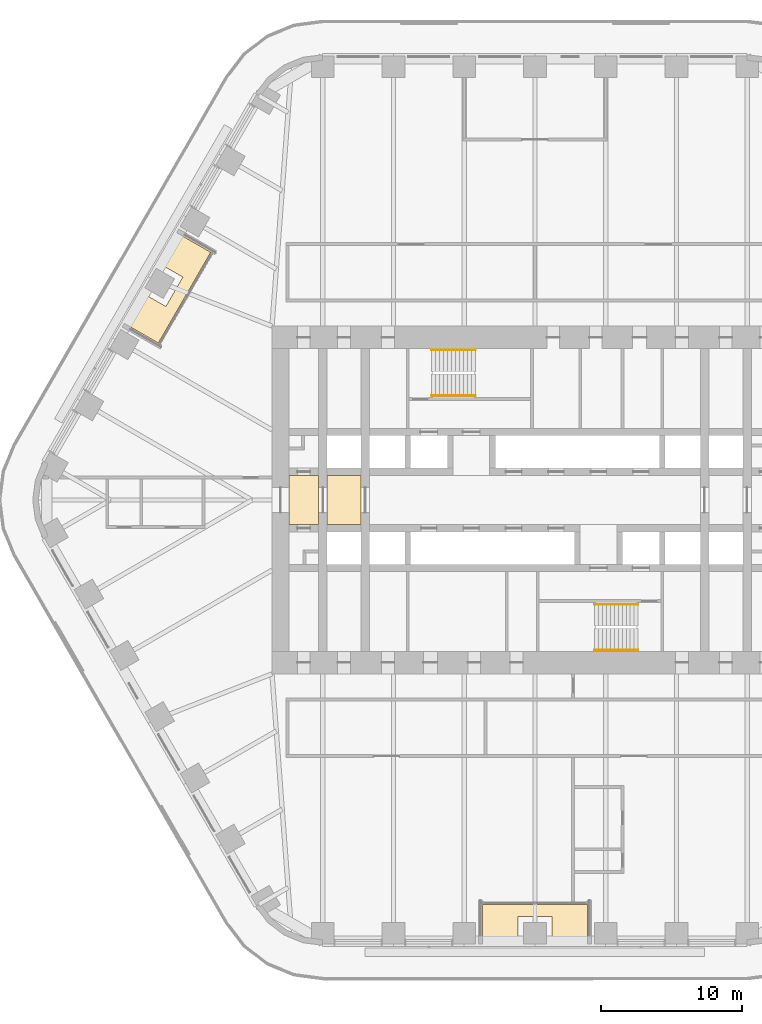
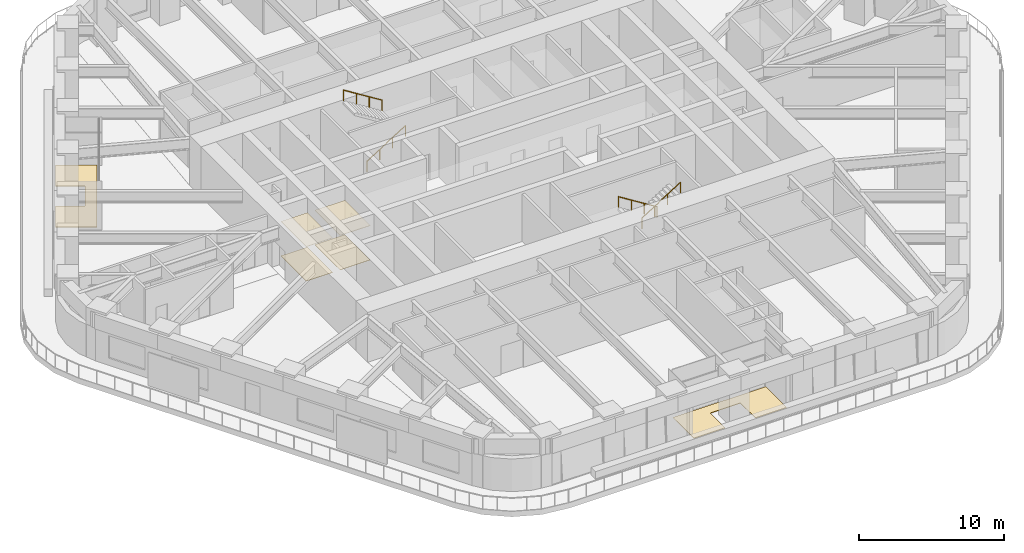
# One storey, part 22 of 24: 6 coverings, 4 railings.
"""IFC4 building model written with IfcOpenShell, lengths in metres."""

from ifc_helpers import new_model, si_unit, direction, frame, origin, origin_2d, place, context, subcontext, project, spatial, polyline, circle, outline, extrude, material, layer, layer_set, type_object, element, save


model = new_model("IFC4")

# Units and contexts
model_context = context("Model", 3, precision=1e-05, world=origin(), true_north=direction((0.0, 1.0)))
body_context = subcontext(model_context, "Body", "Model", "MODEL_VIEW")
ifc_project = project(units=[si_unit("LENGTHUNIT", "METRE"), si_unit("AREAUNIT", "SQUARE_METRE"), si_unit("VOLUMEUNIT", "CUBIC_METRE"), si_unit("PLANEANGLEUNIT", "RADIAN"), si_unit("MASSUNIT", "GRAM", prefix="KILO")], contexts=[model_context])

# Site, building, storey
site_placement = place(None, origin())
site = spatial("IfcSite", under=ifc_project, at=site_placement, CompositionType="ELEMENT")
building_placement = place(site_placement, origin())
building = spatial("IfcBuilding", under=site, at=building_placement, Name="Tarfa Lantern Tower", CompositionType="ELEMENT")
storey_placement = place(building_placement, frame((0.0, 0.0, 148.89990234375)))
storey = spatial("IfcBuildingStorey", under=building, at=storey_placement, Name="L33", CompositionType="ELEMENT", Elevation=148.89990234375)

# Coverings
ifc_material_1 = material(Name="Powder-coated aluminium panel", Category="aluminium")
ifc_layer_1 = layer(ifc_material_1, 0.030029296875)
ifc_layer_set_1 = layer_set([ifc_layer_1], Name="CL3 METAL PANEL CEILING 30")
covering_type_1 = type_object("IfcCoveringType", Name="CL3 METAL PANEL CEILING 30", PredefinedType="CEILING", material=ifc_layer_set_1)
covering_1_placement = place(storey_placement, frame((0.0, 0.0, 2.900146484375)))
element("IfcCovering", 1, at=covering_1_placement, inside=storey, type_object=covering_type_1, Name="Ceiling L33-01", PredefinedType="CEILING", context=body_context, shape_type="SweptSolid", body=[
    extrude(outline(polyline([(-17.39990234375, -1.75), (-15.300048828125, -1.75), (-15.300048828125, 1.75), (-17.39990234375, 1.75), (-17.39990234375, -1.75)])), origin(), (0.0, 0.0, 1.0), 0.030029296875),
])
covering_2_placement = place(storey_placement, frame((0.0, 0.0, 2.900146484375)))
element("IfcCovering", 2, at=covering_2_placement, inside=storey, type_object=covering_type_1, Name="Ceiling L33-02", PredefinedType="CEILING", context=body_context, shape_type="SweptSolid", body=[
    extrude(outline(polyline([(-14.699951171875, -1.75), (-12.300048828125, -1.75), (-12.300048828125, 1.75), (-14.699951171875, 1.75), (-14.699951171875, -1.75)])), origin(), (0.0, 0.0, 1.0), 0.030029296875),
])
ifc_material_2 = material(Name="Honed limestone flooring", Category="masonry")
ifc_layer_2 = layer(ifc_material_2, 0.030029296875)
ifc_layer_set_2 = layer_set([ifc_layer_2], Name="FL2 STONE FLOORING 30")
covering_type_2 = type_object("IfcCoveringType", Name="FL2 STONE FLOORING 30", PredefinedType="FLOORING", material=ifc_layer_set_2)
covering_3_placement = place(storey_placement, origin())
element("IfcCovering", 3, at=covering_3_placement, inside=storey, type_object=covering_type_2, Name="Floor finish L33-01", PredefinedType="FLOORING", context=body_context, shape_type="SweptSolid", body=[
    extrude(outline(polyline([(-17.39990234375, -1.75), (-15.300048828125, -1.75), (-15.300048828125, 1.75), (-17.39990234375, 1.75), (-17.39990234375, -1.75)])), origin(), (0.0, 0.0, 1.0), 0.030029296875),
])
covering_4_placement = place(storey_placement, origin())
element("IfcCovering", 4, at=covering_4_placement, inside=storey, type_object=covering_type_2, Name="Floor finish L33-02", PredefinedType="FLOORING", context=body_context, shape_type="SweptSolid", body=[
    extrude(outline(polyline([(-14.699951171875, -1.75), (-12.300048828125, -1.75), (-12.300048828125, 1.75), (-14.699951171875, 1.75), (-14.699951171875, -1.75)])), origin(), (0.0, 0.0, 1.0), 0.030029296875),
])

# Railings
ifc_material_3 = material(Name="Stainless steel", Category="steel")
railing_type = type_object("IfcRailingType", Name="HR1 HANDRAIL 900", PredefinedType="HANDRAIL", material=ifc_material_3)
railing_1_placement = place(storey_placement, frame((-7.300048828125, 7.3798828125, 0.175048828125)))
element("IfcRailing", 5, at=railing_1_placement, inside=storey, type_object=railing_type, Name="Handrail 1", PredefinedType="HANDRAIL", context=body_context, shape_type="SweptSolid", body=[
    extrude(circle(Radius=0.02392578125, at=origin_2d()), frame((0.0, 0.0, 0.8759765625), z_axis=(0.847998304005, 0.0, 0.529998940003), x_axis=(0.0, 1.0, 0.0)), (0.0, 0.0, 1.0), 3.632080078125),
    extrude(circle(Radius=0.02099609375, at=origin_2d()), frame((0.0, 0.0, 0.0), z_axis=(0.0, 0.0, 1.0), x_axis=(0.0, 1.0, 0.0)), (0.0, 0.0, 1.0), 0.851806640625),
    extrude(circle(Radius=0.02099609375, at=origin_2d()), frame((1.026611328125, 0.0, 0.6416015625), z_axis=(0.0, 0.0, 1.0), x_axis=(0.0, 1.0, 0.0)), (0.0, 0.0, 1.0), 0.851806640625),
    extrude(circle(Radius=0.02099609375, at=origin_2d()), frame((2.053466796875, 0.0, 1.283447265625), z_axis=(0.0, 0.0, 1.0), x_axis=(0.0, 1.0, 0.0)), (0.0, 0.0, 1.0), 0.851806640625),
    extrude(circle(Radius=0.02099609375, at=origin_2d()), frame((3.080078125, 0.0, 1.925048828125), z_axis=(0.0, 0.0, 1.0), x_axis=(0.0, 1.0, 0.0)), (0.0, 0.0, 1.0), 0.851806640625),
])
for number, where, name in (
    (6, (-4.219970703125, 10.6201171875, 2.275146484375), "Handrail 2"),
    (7, (7.300048828125, -7.3798828125, 0.175048828125), "Handrail 1"),
):
    element("IfcRailing", number, at=place(storey_placement, frame(where)), inside=storey, type_object=railing_type, Name=name, PredefinedType="HANDRAIL", context=body_context, shape_type="SweptSolid", body=[
        extrude(circle(Radius=0.02392578125, at=origin_2d()), frame((0.0, 0.0, 0.8759765625), z_axis=(-0.847998304005, 0.0, 0.529998940003), x_axis=(0.0, -1.0, 0.0)), (0.0, 0.0, 1.0), 3.632080078125),
        extrude(circle(Radius=0.02099609375, at=origin_2d()), frame((0.0, 0.0, 0.0), z_axis=(0.0, 0.0, 1.0), x_axis=(0.0, -1.0, 0.0)), (0.0, 0.0, 1.0), 0.851806640625),
        extrude(circle(Radius=0.02099609375, at=origin_2d()), frame((-1.026611328125, 0.0, 0.6416015625), z_axis=(0.0, 0.0, 1.0), x_axis=(0.0, -1.0, 0.0)), (0.0, 0.0, 1.0), 0.851806640625),
        extrude(circle(Radius=0.02099609375, at=origin_2d()), frame((-2.053466796875, 0.0, 1.283447265625), z_axis=(0.0, 0.0, 1.0), x_axis=(0.0, -1.0, 0.0)), (0.0, 0.0, 1.0), 0.851806640625),
        extrude(circle(Radius=0.02099609375, at=origin_2d()), frame((-3.080078125, 0.0, 1.925048828125), z_axis=(0.0, 0.0, 1.0), x_axis=(0.0, -1.0, 0.0)), (0.0, 0.0, 1.0), 0.851806640625),
    ])
railing_2_placement = place(storey_placement, frame((4.219970703125, -10.6201171875, 2.275146484375)))
element("IfcRailing", 8, at=railing_2_placement, inside=storey, type_object=railing_type, Name="Handrail 2", PredefinedType="HANDRAIL", context=body_context, shape_type="SweptSolid", body=[
    extrude(circle(Radius=0.02392578125, at=origin_2d()), frame((0.0, 0.0, 0.8759765625), z_axis=(0.847998304005, 0.0, 0.529998940003), x_axis=(0.0, 1.0, 0.0)), (0.0, 0.0, 1.0), 3.632080078125),
    extrude(circle(Radius=0.02099609375, at=origin_2d()), frame((0.0, 0.0, 0.0), z_axis=(0.0, 0.0, 1.0), x_axis=(0.0, 1.0, 0.0)), (0.0, 0.0, 1.0), 0.851806640625),
    extrude(circle(Radius=0.02099609375, at=origin_2d()), frame((1.026611328125, 0.0, 0.6416015625), z_axis=(0.0, 0.0, 1.0), x_axis=(0.0, 1.0, 0.0)), (0.0, 0.0, 1.0), 0.851806640625),
    extrude(circle(Radius=0.02099609375, at=origin_2d()), frame((2.053466796875, 0.0, 1.283447265625), z_axis=(0.0, 0.0, 1.0), x_axis=(0.0, 1.0, 0.0)), (0.0, 0.0, 1.0), 0.851806640625),
    extrude(circle(Radius=0.02099609375, at=origin_2d()), frame((3.080078125, 0.0, 1.925048828125), z_axis=(0.0, 0.0, 1.0), x_axis=(0.0, 1.0, 0.0)), (0.0, 0.0, 1.0), 0.851806640625),
])

# Coverings
ifc_material_4 = material(Name="Porcelain pavers on pedestals", Category="ceramic")
ifc_layer_3 = layer(ifc_material_4, 0.0400390625)
ifc_layer_set_3 = layer_set([ifc_layer_3], Name="LP1 LOGGIA PAVING 40")
covering_type_3 = type_object("IfcCoveringType", Name="LP1 LOGGIA PAVING 40", PredefinedType="FLOORING", material=ifc_layer_set_3)
covering_5_placement = place(storey_placement, origin())
element("IfcCovering", 9, at=covering_5_placement, inside=storey, type_object=covering_type_3, Name="Loggia paving NW", PredefinedType="FLOORING", context=body_context, shape_type="SweptSolid", body=[
    extrude(outline(polyline([(-25.427978515625, 18.95751953125), (-22.933837890625, 17.517578125), (-26.637451171875, 11.1025390625), (-29.131591796875, 12.54248046875), (-27.8798828125, 14.710693359375), (-26.1044921875, 13.685791015625), (-24.904541015625, 15.76416015625), (-26.6796875, 16.789306640625), (-25.427978515625, 18.95751953125)])), origin(), (0.0, 0.0, 1.0), 0.0400390625),
])
covering_6_placement = place(storey_placement, origin())
element("IfcCovering", 10, at=covering_6_placement, inside=storey, type_object=covering_type_3, Name="Loggia paving S", PredefinedType="FLOORING", context=body_context, shape_type="SweptSolid", body=[
    extrude(outline(polyline([(-3.70361328125, -31.5), (-3.70361328125, -28.6201171875), (3.70361328125, -28.6201171875), (3.70361328125, -31.5), (1.199951171875, -31.5), (1.199951171875, -29.449951171875), (-1.199951171875, -29.449951171875), (-1.199951171875, -31.5), (-3.70361328125, -31.5)])), origin(), (0.0, 0.0, 1.0), 0.0400390625),
])

save(model, "model.ifc")
